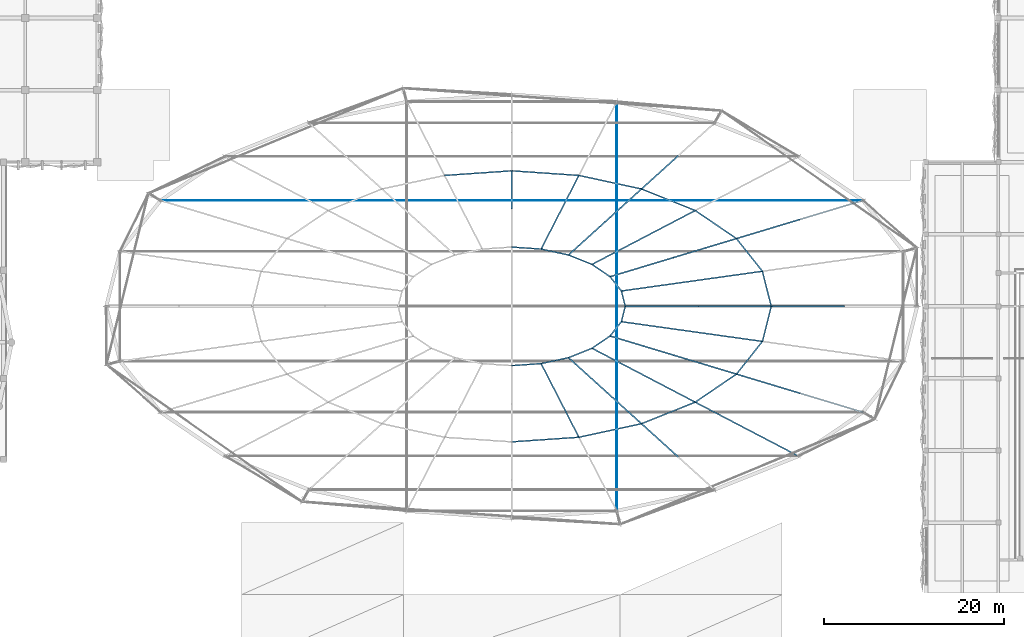
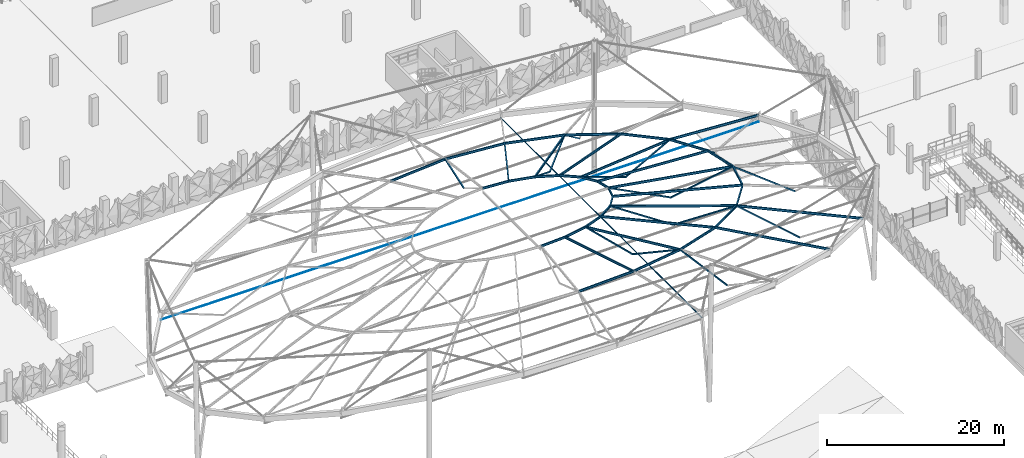
# One storey, part 13 of 96: 39 beams, 18 members.
"""IFC4 building model written with IfcOpenShell, lengths in metres."""

from ifc_helpers import new_model, si_unit, derived_unit, direction, frame, origin, origin_2d, place, context, subcontext, project, spatial, hollow_rectangle, circle, i_section, extrude, material, material_profile, profile_set, type_object, element, save


model = new_model("IFC4")

# Units and contexts
model_context = context("Model", 3, precision=1e-05, world=origin(), true_north=direction((0.0, 1.0)))
body_context = subcontext(model_context, "Body", "Model", "MODEL_VIEW")
ifc_project = project(units=[si_unit("LENGTHUNIT", "METRE"), si_unit("AREAUNIT", "SQUARE_METRE"), si_unit("VOLUMEUNIT", "CUBIC_METRE"), si_unit("PLANEANGLEUNIT", "RADIAN"), si_unit("MASSUNIT", "GRAM", prefix="KILO"), si_unit("THERMODYNAMICTEMPERATUREUNIT", "KELVIN"), derived_unit("THERMALTRANSMITTANCEUNIT", [(si_unit("POWERUNIT", "WATT"), 1), (si_unit("AREAUNIT", "SQUARE_METRE"), -1), (si_unit("THERMODYNAMICTEMPERATUREUNIT", "KELVIN"), -1)])], contexts=[model_context])

# Site, building, storey
site_placement = place(None, origin())
site = spatial("IfcSite", under=ifc_project, at=site_placement, CompositionType="ELEMENT")
building_placement = place(site_placement, origin())
building = spatial("IfcBuilding", under=site, at=building_placement, Name="Haiyu Intermodal Mobility Hub", CompositionType="ELEMENT")
storey_placement = place(building_placement, frame((0.0, 0.0, 9.5)))
storey = spatial("IfcBuildingStorey", under=building, at=storey_placement, Name="L02", CompositionType="ELEMENT", Elevation=9.5)

# Beams
ifc_material_1 = material(Name="Steel Q355C", Category="steel")
ifc_material_profile_1 = material_profile(ifc_material_1, i_section(OverallWidth=0.14990234375, OverallDepth=0.300048828125, WebThickness=0.006591796875, FlangeThickness=0.009033203125, FilletRadius=0.012939453125, at=origin_2d()), Name="HN300x150x6.5x9")
ifc_profile_set_1 = profile_set([ifc_material_profile_1], Name="Steel Q355C")
beam_type = type_object("IfcBeamType", Name="BM-SB10-INT", PredefinedType="JOIST", material=ifc_profile_set_1)
beam_1_placement = place(storey_placement, frame((120.60009765625, 64.0, 14.64599609375), z_axis=(-0.244375132052, 0.969577102424, 0.014178761928), x_axis=(-0.969674577698, -0.244399700013, 0.0)))
element("IfcBeam", 1, at=beam_1_placement, inside=storey, type_object=beam_type, Name="BM-SADHP-001", PredefinedType="JOIST", context=body_context, shape_type="SweptSolid", body=[
    extrude(i_section(OverallWidth=0.14990234375, OverallDepth=0.300048828125, WebThickness=0.006591796875, FlangeThickness=0.009033203125, FilletRadius=0.012939453125, at=origin_2d()), origin(), (0.0, 0.0, 1.0), 1.75634765625),
])
beam_2_placement = place(storey_placement, frame((120.1708984375, 65.702880859375, 14.6708984375), z_axis=(-0.621036146445, 0.783040339029, 0.03408712751), x_axis=(-0.783495655769, -0.621397262136, 0.0)))
element("IfcBeam", 2, at=beam_2_placement, inside=storey, type_object=beam_type, Name="BM-SADHP-002", PredefinedType="JOIST", context=body_context, shape_type="SweptSolid", body=[
    extrude(i_section(OverallWidth=0.14990234375, OverallDepth=0.300048828125, WebThickness=0.006591796875, FlangeThickness=0.009033203125, FilletRadius=0.012939453125, at=origin_2d()), origin(), (0.0, 0.0, 1.0), 2.02685546875),
])
beam_3_placement = place(storey_placement, frame((118.912109375, 67.2900390625, 14.739990234375), z_axis=(-0.826008444816, 0.562322295745, 0.038777374863), x_axis=(-0.562745550881, -0.826630174239, 0.0)))
element("IfcBeam", 3, at=beam_3_placement, inside=storey, type_object=beam_type, Name="BM-SADHP-003", PredefinedType="JOIST", context=body_context, shape_type="SweptSolid", body=[
    extrude(i_section(OverallWidth=0.14990234375, OverallDepth=0.300048828125, WebThickness=0.006591796875, FlangeThickness=0.009033203125, FilletRadius=0.012939453125, at=origin_2d()), origin(), (0.0, 0.0, 1.0), 2.423828125),
])
beam_4_placement = place(storey_placement, frame((116.909912109375, 68.653076171875, 14.833984375), z_axis=(-0.927838396425, 0.371482538513, 0.033416069469), x_axis=(-0.371690117332, -0.928356858475, 0.0)))
element("IfcBeam", 4, at=beam_4_placement, inside=storey, type_object=beam_type, Name="BM-SADHP-004", PredefinedType="JOIST", context=body_context, shape_type="SweptSolid", body=[
    extrude(i_section(OverallWidth=0.14990234375, OverallDepth=0.300048828125, WebThickness=0.006591796875, FlangeThickness=0.009033203125, FilletRadius=0.012939453125, at=origin_2d()), origin(), (0.0, 0.0, 1.0), 2.812744140625),
])
beam_5_placement = place(storey_placement, frame((114.300048828125, 69.697998046875, 14.927978515625), z_axis=(-0.977115528121, 0.211546139804, 0.022214307074), x_axis=(-0.211598355543, -0.977356708644, 0.0)))
element("IfcBeam", 5, at=beam_5_placement, inside=storey, type_object=beam_type, Name="BM-SADHP-005", PredefinedType="JOIST", context=body_context, shape_type="SweptSolid", body=[
    extrude(i_section(OverallWidth=0.14990234375, OverallDepth=0.300048828125, WebThickness=0.006591796875, FlangeThickness=0.009033203125, FilletRadius=0.012939453125, at=origin_2d()), origin(), (0.0, 0.0, 1.0), 3.1103515625),
])
for number, where, z_axis, x_axis, name in (
    (6, (111.260986328125, 70.35595703125, 14.9970703125), (-0.997617613596, 0.068564271115, 0.007618252346), (-0.06856626086, -0.997646564607, 0.0), "BM-SADHP-006"),
    (7, (108.0, 57.419921875, 15.02197265625), (0.997617613596, 0.068564271115, -0.007618252346), (-0.06856626086, 0.997646564607, 0.0), "BM-SADHP-019"),
):
    element("IfcBeam", number, at=place(storey_placement, frame(where, z_axis=z_axis, x_axis=x_axis)), inside=storey, type_object=beam_type, Name=name, PredefinedType="JOIST", context=body_context, shape_type="SweptSolid", body=[
        extrude(i_section(OverallWidth=0.14990234375, OverallDepth=0.300048828125, WebThickness=0.006591796875, FlangeThickness=0.009033203125, FilletRadius=0.012939453125, at=origin_2d()), origin(), (0.0, 0.0, 1.0), 3.268798828125),
    ])
beam_6_placement = place(storey_placement, frame((111.260986328125, 57.64404296875, 14.9970703125), z_axis=(0.977115528121, 0.211546139804, -0.022214307074), x_axis=(-0.211598355543, 0.977356708644, 0.0)))
element("IfcBeam", 8, at=beam_6_placement, inside=storey, type_object=beam_type, Name="BM-SADHP-020", PredefinedType="JOIST", context=body_context, shape_type="SweptSolid", body=[
    extrude(i_section(OverallWidth=0.14990234375, OverallDepth=0.300048828125, WebThickness=0.006591796875, FlangeThickness=0.009033203125, FilletRadius=0.012939453125, at=origin_2d()), origin(), (0.0, 0.0, 1.0), 3.1103515625),
])
beam_7_placement = place(storey_placement, frame((114.300048828125, 58.302001953125, 14.927978515625), z_axis=(0.927838396425, 0.371482538513, -0.033416069469), x_axis=(-0.371690117332, 0.928356858475, 0.0)))
element("IfcBeam", 9, at=beam_7_placement, inside=storey, type_object=beam_type, Name="BM-SADHP-021", PredefinedType="JOIST", context=body_context, shape_type="SweptSolid", body=[
    extrude(i_section(OverallWidth=0.14990234375, OverallDepth=0.300048828125, WebThickness=0.006591796875, FlangeThickness=0.009033203125, FilletRadius=0.012939453125, at=origin_2d()), origin(), (0.0, 0.0, 1.0), 2.812744140625),
])
beam_8_placement = place(storey_placement, frame((116.909912109375, 59.346923828125, 14.833984375), z_axis=(0.826008444816, 0.562322295745, -0.038777374863), x_axis=(-0.562745550881, 0.826630174239, 0.0)))
element("IfcBeam", 10, at=beam_8_placement, inside=storey, type_object=beam_type, Name="BM-SADHP-022", PredefinedType="JOIST", context=body_context, shape_type="SweptSolid", body=[
    extrude(i_section(OverallWidth=0.14990234375, OverallDepth=0.300048828125, WebThickness=0.006591796875, FlangeThickness=0.009033203125, FilletRadius=0.012939453125, at=origin_2d()), origin(), (0.0, 0.0, 1.0), 2.423828125),
])
beam_9_placement = place(storey_placement, frame((118.912109375, 60.7099609375, 14.739990234375), z_axis=(0.621036146445, 0.783040339029, -0.03408712751), x_axis=(-0.783495655769, 0.621397262136, 0.0)))
element("IfcBeam", 11, at=beam_9_placement, inside=storey, type_object=beam_type, Name="BM-SADHP-023", PredefinedType="JOIST", context=body_context, shape_type="SweptSolid", body=[
    extrude(i_section(OverallWidth=0.14990234375, OverallDepth=0.300048828125, WebThickness=0.006591796875, FlangeThickness=0.009033203125, FilletRadius=0.012939453125, at=origin_2d()), origin(), (0.0, 0.0, 1.0), 2.02685546875),
])
beam_10_placement = place(storey_placement, frame((120.1708984375, 62.297119140625, 14.6708984375), z_axis=(0.244375132052, 0.969577102424, -0.014178761928), x_axis=(-0.969674577698, 0.244399700013, 0.0)))
element("IfcBeam", 12, at=beam_10_placement, inside=storey, type_object=beam_type, Name="BM-SADHP-024", PredefinedType="JOIST", context=body_context, shape_type="SweptSolid", body=[
    extrude(i_section(OverallWidth=0.14990234375, OverallDepth=0.300048828125, WebThickness=0.006591796875, FlangeThickness=0.009033203125, FilletRadius=0.012939453125, at=origin_2d()), origin(), (0.0, 0.0, 1.0), 1.75634765625),
])
beam_11_placement = place(storey_placement, frame((136.800048828125, 64.0, 11.947021484375), z_axis=(-0.24420837941, 0.969175415149, 0.032577324879), x_axis=(-0.96969010912, -0.244338069638, 0.0)))
element("IfcBeam", 13, at=beam_11_placement, inside=storey, type_object=beam_type, Name="BM-SADHP-025", PredefinedType="JOIST", context=body_context, shape_type="SweptSolid", body=[
    extrude(i_section(OverallWidth=0.14990234375, OverallDepth=0.300048828125, WebThickness=0.006591796875, FlangeThickness=0.009033203125, FilletRadius=0.012939453125, at=origin_2d()), origin(), (0.0, 0.0, 1.0), 4.016845703125),
])
beam_12_placement = place(storey_placement, frame((135.819091796875, 67.89306640625, 12.077880859375), z_axis=(-0.619609063812, 0.781070195333, 0.07754971312), x_axis=(-0.783429503946, -0.621480661282, 0.0)))
element("IfcBeam", 14, at=beam_12_placement, inside=storey, type_object=beam_type, Name="BM-SADHP-026", PredefinedType="JOIST", context=body_context, shape_type="SweptSolid", body=[
    extrude(i_section(OverallWidth=0.14990234375, OverallDepth=0.300048828125, WebThickness=0.006591796875, FlangeThickness=0.009033203125, FilletRadius=0.012939453125, at=origin_2d()), origin(), (0.0, 0.0, 1.0), 4.6435546875),
])
beam_13_placement = place(storey_placement, frame((132.94189453125, 71.52001953125, 12.43798828125), z_axis=(-0.823455633588, 0.560434759105, 0.088508193401), x_axis=(-0.562642879895, -0.826700060302, 0.0)))
element("IfcBeam", 15, at=beam_13_placement, inside=storey, type_object=beam_type, Name="BM-SADHP-027", PredefinedType="JOIST", context=body_context, shape_type="SweptSolid", body=[
    extrude(i_section(OverallWidth=0.14990234375, OverallDepth=0.300048828125, WebThickness=0.006591796875, FlangeThickness=0.009033203125, FilletRadius=0.012939453125, at=origin_2d()), origin(), (0.0, 0.0, 1.0), 5.55810546875),
])
beam_14_placement = place(storey_placement, frame((128.364990234375, 74.635009765625, 12.929931640625), z_axis=(-0.925572021467, 0.370827344908, 0.07618079381), x_axis=(-0.371908102054, -0.928269553323, 0.0)))
element("IfcBeam", 16, at=beam_14_placement, inside=storey, type_object=beam_type, Name="BM-SADHP-028", PredefinedType="JOIST", context=body_context, shape_type="SweptSolid", body=[
    extrude(i_section(OverallWidth=0.14990234375, OverallDepth=0.300048828125, WebThickness=0.006591796875, FlangeThickness=0.009033203125, FilletRadius=0.012939453125, at=origin_2d()), origin(), (0.0, 0.0, 1.0), 6.44482421875),
])
beam_15_placement = place(storey_placement, frame((122.39990234375, 77.02490234375, 13.4208984375), z_axis=(-0.976121682797, 0.211247142389, 0.050607363168), x_axis=(-0.211518176188, -0.977374064083, 0.0)))
element("IfcBeam", 17, at=beam_15_placement, inside=storey, type_object=beam_type, Name="BM-SADHP-029", PredefinedType="JOIST", context=body_context, shape_type="SweptSolid", body=[
    extrude(i_section(OverallWidth=0.14990234375, OverallDepth=0.300048828125, WebThickness=0.006591796875, FlangeThickness=0.009033203125, FilletRadius=0.012939453125, at=origin_2d()), origin(), (0.0, 0.0, 1.0), 7.11572265625),
])
for number, where, z_axis, x_axis, name in (
    (18, (115.4541015625, 78.528076171875, 13.781005859375), (-0.997493857987, 0.068509911575, 0.017674707755), (-0.06852061517, -0.997649700695, 0.0), "BM-SADHP-030"),
    (19, (108.0, 79.0400390625, 13.9130859375), (-0.997493857987, -0.068509911575, -0.017674707755), (0.06852061517, -0.997649700695, 0.0), "BM-SADHP-031"),
    (20, (108.0, 48.9599609375, 13.9130859375), (0.997493857987, 0.068509911575, -0.017674707755), (-0.06852061517, 0.997649700695, 0.0), "BM-SADHP-043"),
):
    element("IfcBeam", number, at=place(storey_placement, frame(where, z_axis=z_axis, x_axis=x_axis)), inside=storey, type_object=beam_type, Name=name, PredefinedType="JOIST", context=body_context, shape_type="SweptSolid", body=[
        extrude(i_section(OverallWidth=0.14990234375, OverallDepth=0.300048828125, WebThickness=0.006591796875, FlangeThickness=0.009033203125, FilletRadius=0.012939453125, at=origin_2d()), origin(), (0.0, 0.0, 1.0), 7.472900390625),
    ])
beam_16_placement = place(storey_placement, frame((115.4541015625, 49.471923828125, 13.781005859375), z_axis=(0.976121682797, 0.211247142389, -0.050607363168), x_axis=(-0.211518176188, 0.977374064083, 0.0)))
element("IfcBeam", 21, at=beam_16_placement, inside=storey, type_object=beam_type, Name="BM-SADHP-044", PredefinedType="JOIST", context=body_context, shape_type="SweptSolid", body=[
    extrude(i_section(OverallWidth=0.14990234375, OverallDepth=0.300048828125, WebThickness=0.006591796875, FlangeThickness=0.009033203125, FilletRadius=0.012939453125, at=origin_2d()), origin(), (0.0, 0.0, 1.0), 7.11572265625),
])
beam_17_placement = place(storey_placement, frame((122.39990234375, 50.97509765625, 13.4208984375), z_axis=(0.925572021467, 0.370827344908, -0.07618079381), x_axis=(-0.371908102054, 0.928269553323, 0.0)))
element("IfcBeam", 22, at=beam_17_placement, inside=storey, type_object=beam_type, Name="BM-SADHP-045", PredefinedType="JOIST", context=body_context, shape_type="SweptSolid", body=[
    extrude(i_section(OverallWidth=0.14990234375, OverallDepth=0.300048828125, WebThickness=0.006591796875, FlangeThickness=0.009033203125, FilletRadius=0.012939453125, at=origin_2d()), origin(), (0.0, 0.0, 1.0), 6.44482421875),
])
beam_18_placement = place(storey_placement, frame((128.364990234375, 53.364990234375, 12.929931640625), z_axis=(0.823455633588, 0.560434759105, -0.088508193401), x_axis=(-0.562642879895, 0.826700060302, 0.0)))
element("IfcBeam", 23, at=beam_18_placement, inside=storey, type_object=beam_type, Name="BM-SADHP-046", PredefinedType="JOIST", context=body_context, shape_type="SweptSolid", body=[
    extrude(i_section(OverallWidth=0.14990234375, OverallDepth=0.300048828125, WebThickness=0.006591796875, FlangeThickness=0.009033203125, FilletRadius=0.012939453125, at=origin_2d()), origin(), (0.0, 0.0, 1.0), 5.55810546875),
])
beam_19_placement = place(storey_placement, frame((132.94189453125, 56.47998046875, 12.43798828125), z_axis=(0.619609063812, 0.781070195333, -0.07754971312), x_axis=(-0.783429503946, 0.621480661282, 0.0)))
element("IfcBeam", 24, at=beam_19_placement, inside=storey, type_object=beam_type, Name="BM-SADHP-047", PredefinedType="JOIST", context=body_context, shape_type="SweptSolid", body=[
    extrude(i_section(OverallWidth=0.14990234375, OverallDepth=0.300048828125, WebThickness=0.006591796875, FlangeThickness=0.009033203125, FilletRadius=0.012939453125, at=origin_2d()), origin(), (0.0, 0.0, 1.0), 4.6435546875),
])
beam_20_placement = place(storey_placement, frame((135.819091796875, 60.10693359375, 12.077880859375), z_axis=(0.24420837941, 0.969175415149, -0.032577324879), x_axis=(-0.96969010912, 0.244338069638, 0.0)))
element("IfcBeam", 25, at=beam_20_placement, inside=storey, type_object=beam_type, Name="BM-SADHP-048", PredefinedType="JOIST", context=body_context, shape_type="SweptSolid", body=[
    extrude(i_section(OverallWidth=0.14990234375, OverallDepth=0.300048828125, WebThickness=0.006591796875, FlangeThickness=0.009033203125, FilletRadius=0.012939453125, at=origin_2d()), origin(), (0.0, 0.0, 1.0), 4.016845703125),
])
beam_21_placement = place(storey_placement, frame((136.800048828125, 64.0, 11.949951171875), z_axis=(-0.986403966286, 0.0, 0.164338721231), x_axis=(0.0, -1.0, 0.0)))
element("IfcBeam", 26, at=beam_21_placement, inside=storey, type_object=beam_type, Name="BM-SADRAD-050", PredefinedType="JOIST", context=body_context, shape_type="SweptSolid", body=[
    extrude(i_section(OverallWidth=0.14990234375, OverallDepth=0.300048828125, WebThickness=0.006591796875, FlangeThickness=0.009033203125, FilletRadius=0.012939453125, at=origin_2d()), origin(), (0.0, 0.0, 1.0), 16.42333984375),
])
beam_22_placement = place(storey_placement, frame((135.819091796875, 67.89306640625, 12.0810546875), z_axis=(-0.977274428965, -0.13678335131, 0.161941363757), x_axis=(0.13861298977, -0.990346625716, 0.0)))
element("IfcBeam", 27, at=beam_22_placement, inside=storey, type_object=beam_type, Name="BM-SADRAD-052", PredefinedType="JOIST", context=body_context, shape_type="SweptSolid", body=[
    extrude(i_section(OverallWidth=0.14990234375, OverallDepth=0.300048828125, WebThickness=0.006591796875, FlangeThickness=0.009033203125, FilletRadius=0.012939453125, at=origin_2d()), origin(), (0.0, 0.0, 1.0), 16.011962890625),
])
beam_23_placement = place(storey_placement, frame((146.970947265625, 75.75, 8.337890625), z_axis=(-0.921963147491, -0.277986417233, 0.269643294933), x_axis=(0.28867900796, -0.957425939884, 0.0)))
element("IfcBeam", 28, at=beam_23_placement, inside=storey, type_object=beam_type, Name="BM-SADRAD-053", PredefinedType="JOIST", context=body_context, shape_type="SweptSolid", body=[
    extrude(i_section(OverallWidth=0.14990234375, OverallDepth=0.300048828125, WebThickness=0.006591796875, FlangeThickness=0.009033203125, FilletRadius=0.012939453125, at=origin_2d()), origin(), (0.0, 0.0, 1.0), 15.216552734375),
])
beam_24_placement = place(storey_placement, frame((132.94189453125, 71.52001953125, 12.44091796875), z_axis=(-0.945830272905, -0.28516784374, 0.155191480932), x_axis=(0.288665193348, -0.957430105099, 0.0)))
element("IfcBeam", 29, at=beam_24_placement, inside=storey, type_object=beam_type, Name="BM-SADRAD-054", PredefinedType="JOIST", context=body_context, shape_type="SweptSolid", body=[
    extrude(i_section(OverallWidth=0.14990234375, OverallDepth=0.300048828125, WebThickness=0.006591796875, FlangeThickness=0.009033203125, FilletRadius=0.012939453125, at=origin_2d()), origin(), (0.0, 0.0, 1.0), 14.833251953125),
])
beam_25_placement = place(storey_placement, frame((128.364990234375, 74.635009765625, 12.93310546875), z_axis=(-0.87694911144, -0.457949853548, 0.14574699853), x_axis=(0.462892669967, -0.886414336578, 0.0)))
element("IfcBeam", 30, at=beam_25_placement, inside=storey, type_object=beam_type, Name="BM-SADRAD-056", PredefinedType="JOIST", context=body_context, shape_type="SweptSolid", body=[
    extrude(i_section(OverallWidth=0.14990234375, OverallDepth=0.300048828125, WebThickness=0.006591796875, FlangeThickness=0.009033203125, FilletRadius=0.012939453125, at=origin_2d()), origin(), (0.0, 0.0, 1.0), 13.0625),
])
beam_26_placement = place(storey_placement, frame((122.39990234375, 77.02490234375, 13.424072265625), z_axis=(-0.734647098866, -0.664541522262, 0.136668230829), x_axis=(0.670836060312, -0.741605677018, 0.0)))
element("IfcBeam", 31, at=beam_26_placement, inside=storey, type_object=beam_type, Name="BM-SADRAD-058", PredefinedType="JOIST", context=body_context, shape_type="SweptSolid", body=[
    extrude(i_section(OverallWidth=0.14990234375, OverallDepth=0.300048828125, WebThickness=0.006591796875, FlangeThickness=0.009033203125, FilletRadius=0.012939453125, at=origin_2d()), origin(), (0.0, 0.0, 1.0), 11.025390625),
])
for number, where, z_axis, x_axis, name in (
    (32, (115.4541015625, 78.528076171875, 13.783935546875), (-0.452564422655, -0.882019733306, 0.131250270116), (0.889716433781, -0.45651360052, 0.0), "BM-SADRAD-060"),
    (33, (115.4541015625, 49.471923828125, 13.783935546875), (-0.452564422655, 0.882019733306, 0.131250270116), (-0.889716433781, -0.45651360052, 0.0), "BM-SADRAD-088"),
):
    element("IfcBeam", number, at=place(storey_placement, frame(where, z_axis=z_axis, x_axis=x_axis)), inside=storey, type_object=beam_type, Name=name, PredefinedType="JOIST", context=body_context, shape_type="SweptSolid", body=[
        extrude(i_section(OverallWidth=0.14990234375, OverallDepth=0.300048828125, WebThickness=0.006591796875, FlangeThickness=0.009033203125, FilletRadius=0.012939453125, at=origin_2d()), origin(), (0.0, 0.0, 1.0), 9.26513671875),
    ])
beam_27_placement = place(storey_placement, frame((122.39990234375, 50.97509765625, 13.424072265625), z_axis=(-0.734647098866, 0.664541522262, 0.136668230829), x_axis=(-0.670836060312, -0.741605677018, 0.0)))
element("IfcBeam", 34, at=beam_27_placement, inside=storey, type_object=beam_type, Name="BM-SADRAD-090", PredefinedType="JOIST", context=body_context, shape_type="SweptSolid", body=[
    extrude(i_section(OverallWidth=0.14990234375, OverallDepth=0.300048828125, WebThickness=0.006591796875, FlangeThickness=0.009033203125, FilletRadius=0.012939453125, at=origin_2d()), origin(), (0.0, 0.0, 1.0), 11.025390625),
])
beam_28_placement = place(storey_placement, frame((139.820068359375, 47.383056640625, 9.5380859375), z_axis=(-0.857322605249, 0.447700734736, 0.254090540251), x_axis=(-0.462892669967, -0.886414336578, 0.0)))
element("IfcBeam", 35, at=beam_28_placement, inside=storey, type_object=beam_type, Name="BM-SADRAD-091", PredefinedType="JOIST", context=body_context, shape_type="SweptSolid", body=[
    extrude(i_section(OverallWidth=0.14990234375, OverallDepth=0.300048828125, WebThickness=0.006591796875, FlangeThickness=0.009033203125, FilletRadius=0.012939453125, at=origin_2d()), origin(), (0.0, 0.0, 1.0), 13.361572265625),
])
beam_29_placement = place(storey_placement, frame((128.364990234375, 53.364990234375, 12.93310546875), z_axis=(-0.87694911144, 0.457949853548, 0.14574699853), x_axis=(-0.462892669967, -0.886414336578, 0.0)))
element("IfcBeam", 36, at=beam_29_placement, inside=storey, type_object=beam_type, Name="BM-SADRAD-092", PredefinedType="JOIST", context=body_context, shape_type="SweptSolid", body=[
    extrude(i_section(OverallWidth=0.14990234375, OverallDepth=0.300048828125, WebThickness=0.006591796875, FlangeThickness=0.009033203125, FilletRadius=0.012939453125, at=origin_2d()), origin(), (0.0, 0.0, 1.0), 13.0625),
])
beam_30_placement = place(storey_placement, frame((146.970947265625, 52.25, 8.337890625), z_axis=(-0.921963147491, 0.277986417233, 0.269643294933), x_axis=(-0.28867900796, -0.957425939884, 0.0)))
element("IfcBeam", 37, at=beam_30_placement, inside=storey, type_object=beam_type, Name="BM-SADRAD-093", PredefinedType="JOIST", context=body_context, shape_type="SweptSolid", body=[
    extrude(i_section(OverallWidth=0.14990234375, OverallDepth=0.300048828125, WebThickness=0.006591796875, FlangeThickness=0.009033203125, FilletRadius=0.012939453125, at=origin_2d()), origin(), (0.0, 0.0, 1.0), 15.216552734375),
])
beam_31_placement = place(storey_placement, frame((132.94189453125, 56.47998046875, 12.44091796875), z_axis=(-0.945830272905, 0.28516784374, 0.155191480932), x_axis=(-0.288665193348, -0.957430105099, 0.0)))
element("IfcBeam", 38, at=beam_31_placement, inside=storey, type_object=beam_type, Name="BM-SADRAD-094", PredefinedType="JOIST", context=body_context, shape_type="SweptSolid", body=[
    extrude(i_section(OverallWidth=0.14990234375, OverallDepth=0.300048828125, WebThickness=0.006591796875, FlangeThickness=0.009033203125, FilletRadius=0.012939453125, at=origin_2d()), origin(), (0.0, 0.0, 1.0), 14.833251953125),
])
beam_32_placement = place(storey_placement, frame((135.819091796875, 60.10693359375, 12.0810546875), z_axis=(-0.977274428965, 0.13678335131, 0.161941363757), x_axis=(-0.13861298977, -0.990346625716, 0.0)))
element("IfcBeam", 39, at=beam_32_placement, inside=storey, type_object=beam_type, Name="BM-SADRAD-096", PredefinedType="JOIST", context=body_context, shape_type="SweptSolid", body=[
    extrude(i_section(OverallWidth=0.14990234375, OverallDepth=0.300048828125, WebThickness=0.006591796875, FlangeThickness=0.009033203125, FilletRadius=0.012939453125, at=origin_2d()), origin(), (0.0, 0.0, 1.0), 16.011962890625),
])

# Members
ifc_material_profile_2 = material_profile(ifc_material_1, hollow_rectangle(XDim=0.159912109375, YDim=0.159912109375, WallThickness=0.006103515625, at=origin_2d()), Name="SHS160x160x6")
ifc_profile_set_2 = profile_set([ifc_material_profile_2], Name="Steel Q355C")
member_type_1 = type_object("IfcMemberType", Name="MEM-CH03", PredefinedType="CHORD", material=ifc_profile_set_2)
member_1_placement = place(storey_placement, frame((144.89990234375, 64.0, 5.68798828125), z_axis=(-0.791143908572, 0.0, 0.611630048255), x_axis=(0.0, -1.0, 0.0)))
element("IfcMember", 40, at=member_1_placement, inside=storey, type_object=member_type_1, Name="MEM-SADD2-049", PredefinedType="CHORD", context=body_context, shape_type="SweptSolid", body=[
    extrude(hollow_rectangle(XDim=0.159912109375, YDim=0.159912109375, WallThickness=0.006103515625, at=origin_2d()), origin(), (0.0, 0.0, 1.0), 10.238037109375),
])
member_2_placement = place(storey_placement, frame((136.800048828125, 64.0, 11.949951171875), z_axis=(-0.984353775203, 0.0, -0.176203420065), x_axis=(0.0, -1.0, 0.0)))
element("IfcMember", 41, at=member_2_placement, inside=storey, type_object=member_type_1, Name="MEM-SADD1-050", PredefinedType="CHORD", context=body_context, shape_type="SweptSolid", body=[
    extrude(hollow_rectangle(XDim=0.159912109375, YDim=0.159912109375, WallThickness=0.006103515625, at=origin_2d()), origin(), (0.0, 0.0, 1.0), 8.228759765625),
])
member_3_placement = place(storey_placement, frame((128.699951171875, 64.0, 10.5), z_axis=(-0.890033541635, 0.0, 0.455895047971), x_axis=(0.0, -1.0, 0.0)))
element("IfcMember", 42, at=member_3_placement, inside=storey, type_object=member_type_1, Name="MEM-SADD2-050", PredefinedType="CHORD", context=body_context, shape_type="SweptSolid", body=[
    extrude(hollow_rectangle(XDim=0.159912109375, YDim=0.159912109375, WallThickness=0.006103515625, at=origin_2d()), origin(), (0.0, 0.0, 1.0), 9.1005859375),
])
member_4_placement = place(storey_placement, frame((139.9560546875, 73.635009765625, 6.887939453125), z_axis=(-0.763007540814, -0.230070808426, 0.604058702256), x_axis=(0.288692823835, -0.957421774071, 0.0)))
element("IfcMember", 43, at=member_4_placement, inside=storey, type_object=member_type_1, Name="MEM-SADD2-053", PredefinedType="CHORD", context=body_context, shape_type="SweptSolid", body=[
    extrude(hollow_rectangle(XDim=0.159912109375, YDim=0.159912109375, WallThickness=0.006103515625, at=origin_2d()), origin(), (0.0, 0.0, 1.0), 9.19287109375),
])
member_5_placement = place(storey_placement, frame((132.94189453125, 71.52001953125, 12.44091796875), z_axis=(-0.93921536077, -0.283173447616, -0.194132183469), x_axis=(0.288665193348, -0.957430105099, 0.0)))
element("IfcMember", 44, at=member_5_placement, inside=storey, type_object=member_type_1, Name="MEM-SADD1-054", PredefinedType="CHORD", context=body_context, shape_type="SweptSolid", body=[
    extrude(hollow_rectangle(XDim=0.159912109375, YDim=0.159912109375, WallThickness=0.006103515625, at=origin_2d()), origin(), (0.0, 0.0, 1.0), 7.468994140625),
])
member_6_placement = place(storey_placement, frame((125.927001953125, 69.405029296875, 10.990966796875), z_axis=(-0.852191814542, -0.256935846914, 0.455799387668), x_axis=(0.288665193348, -0.957430105099, 0.0)))
element("IfcMember", 45, at=member_6_placement, inside=storey, type_object=member_type_1, Name="MEM-SADD2-054", PredefinedType="CHORD", context=body_context, shape_type="SweptSolid", body=[
    extrude(hollow_rectangle(XDim=0.159912109375, YDim=0.159912109375, WallThickness=0.006103515625, at=origin_2d()), origin(), (0.0, 0.0, 1.0), 8.231689453125),
])
member_7_placement = place(storey_placement, frame((126.449951171875, 80.68798828125, 9.2880859375), z_axis=(-0.591216650187, -0.534728712967, 0.60376160533), x_axis=(0.670788055966, -0.741649097602, 0.0)))
element("IfcMember", 46, at=member_7_placement, inside=storey, type_object=member_type_1, Name="MEM-SADD2-057", PredefinedType="CHORD", context=body_context, shape_type="SweptSolid", body=[
    extrude(hollow_rectangle(XDim=0.159912109375, YDim=0.159912109375, WallThickness=0.006103515625, at=origin_2d()), origin(), (0.0, 0.0, 1.0), 6.850341796875),
])
member_8_placement = place(storey_placement, frame((122.39990234375, 77.02490234375, 13.424072265625), z_axis=(-0.716811180309, -0.648319154701, -0.256639836017), x_axis=(0.670785706266, -0.741651222792, 0.0)))
element("IfcMember", 47, at=member_8_placement, inside=storey, type_object=member_type_1, Name="MEM-SADD1-058", PredefinedType="CHORD", context=body_context, shape_type="SweptSolid", body=[
    extrude(hollow_rectangle(XDim=0.159912109375, YDim=0.159912109375, WallThickness=0.006103515625, at=origin_2d()), origin(), (0.0, 0.0, 1.0), 5.649658203125),
])
member_9_placement = place(storey_placement, frame((118.35009765625, 73.362060546875, 11.97412109375), z_axis=(-0.652124795165, -0.589974617266, 0.476091590466), x_axis=(0.670886402047, -0.741560136165, 0.0)))
element("IfcMember", 48, at=member_9_placement, inside=storey, type_object=member_type_1, Name="MEM-SADD2-058", PredefinedType="CHORD", context=body_context, shape_type="SweptSolid", body=[
    extrude(hollow_rectangle(XDim=0.159912109375, YDim=0.159912109375, WallThickness=0.006103515625, at=origin_2d()), origin(), (0.0, 0.0, 1.0), 6.21044921875),
])
member_10_placement = place(storey_placement, frame((108.0, 79.0400390625, 13.916015625), z_axis=(0.0, -0.945968437013, -0.324258717963), x_axis=(1.0, 0.0, 0.0)))
element("IfcMember", 49, at=member_10_placement, inside=storey, type_object=member_type_1, Name="MEM-SADD1-062", PredefinedType="CHORD", context=body_context, shape_type="SweptSolid", body=[
    extrude(hollow_rectangle(XDim=0.159912109375, YDim=0.159912109375, WallThickness=0.006103515625, at=origin_2d()), origin(), (0.0, 0.0, 1.0), 4.4716796875),
])
member_11_placement = place(storey_placement, frame((126.449951171875, 47.31201171875, 9.2880859375), z_axis=(-0.591216650187, 0.534728712967, 0.60376160533), x_axis=(-0.670788055966, -0.741649097602, 0.0)))
element("IfcMember", 50, at=member_11_placement, inside=storey, type_object=member_type_1, Name="MEM-SADD2-089", PredefinedType="CHORD", context=body_context, shape_type="SweptSolid", body=[
    extrude(hollow_rectangle(XDim=0.159912109375, YDim=0.159912109375, WallThickness=0.006103515625, at=origin_2d()), origin(), (0.0, 0.0, 1.0), 6.850341796875),
])
member_12_placement = place(storey_placement, frame((122.39990234375, 50.97509765625, 13.424072265625), z_axis=(-0.716811180309, 0.648319154701, -0.256639836017), x_axis=(-0.670785706266, -0.741651222792, 0.0)))
element("IfcMember", 51, at=member_12_placement, inside=storey, type_object=member_type_1, Name="MEM-SADD1-090", PredefinedType="CHORD", context=body_context, shape_type="SweptSolid", body=[
    extrude(hollow_rectangle(XDim=0.159912109375, YDim=0.159912109375, WallThickness=0.006103515625, at=origin_2d()), origin(), (0.0, 0.0, 1.0), 5.649658203125),
])
member_13_placement = place(storey_placement, frame((118.35009765625, 54.637939453125, 11.97412109375), z_axis=(-0.652124795165, 0.589974617266, 0.476091590466), x_axis=(-0.670886402047, -0.741560136165, 0.0)))
element("IfcMember", 52, at=member_13_placement, inside=storey, type_object=member_type_1, Name="MEM-SADD2-090", PredefinedType="CHORD", context=body_context, shape_type="SweptSolid", body=[
    extrude(hollow_rectangle(XDim=0.159912109375, YDim=0.159912109375, WallThickness=0.006103515625, at=origin_2d()), origin(), (0.0, 0.0, 1.0), 6.21044921875),
])
member_14_placement = place(storey_placement, frame((139.9560546875, 54.364990234375, 6.887939453125), z_axis=(-0.763007540814, 0.230070808426, 0.604058702256), x_axis=(-0.288692823835, -0.957421774071, 0.0)))
element("IfcMember", 53, at=member_14_placement, inside=storey, type_object=member_type_1, Name="MEM-SADD2-093", PredefinedType="CHORD", context=body_context, shape_type="SweptSolid", body=[
    extrude(hollow_rectangle(XDim=0.159912109375, YDim=0.159912109375, WallThickness=0.006103515625, at=origin_2d()), origin(), (0.0, 0.0, 1.0), 9.19287109375),
])
member_15_placement = place(storey_placement, frame((132.94189453125, 56.47998046875, 12.44091796875), z_axis=(-0.93921536077, 0.283173447616, -0.194132183469), x_axis=(-0.288665193348, -0.957430105099, 0.0)))
element("IfcMember", 54, at=member_15_placement, inside=storey, type_object=member_type_1, Name="MEM-SADD1-094", PredefinedType="CHORD", context=body_context, shape_type="SweptSolid", body=[
    extrude(hollow_rectangle(XDim=0.159912109375, YDim=0.159912109375, WallThickness=0.006103515625, at=origin_2d()), origin(), (0.0, 0.0, 1.0), 7.468994140625),
])
member_16_placement = place(storey_placement, frame((125.927001953125, 58.594970703125, 10.990966796875), z_axis=(-0.852191814542, 0.256935846914, 0.455799387668), x_axis=(-0.288665193348, -0.957430105099, 0.0)))
element("IfcMember", 55, at=member_16_placement, inside=storey, type_object=member_type_1, Name="MEM-SADD2-094", PredefinedType="CHORD", context=body_context, shape_type="SweptSolid", body=[
    extrude(hollow_rectangle(XDim=0.159912109375, YDim=0.159912109375, WallThickness=0.006103515625, at=origin_2d()), origin(), (0.0, 0.0, 1.0), 8.231689453125),
])
ifc_material_2 = material(Name="Galvanized steel cable 1670 MPa", Category="steel")
ifc_material_profile_3 = material_profile(ifc_material_2, circle(Radius=0.047607421875, at=origin_2d()), Name="CABLE95")
ifc_profile_set_3 = profile_set([ifc_material_profile_3], Name="Galvanized steel cable 1670 MPa")
member_type_2 = type_object("IfcMemberType", Name="MEM-TC01", PredefinedType="USERDEFINED", material=ifc_profile_set_3)
member_17_placement = place(storey_placement, frame((119.64697265625, 41.301025390625, 10.89794921875), z_axis=(0.0, 1.0, 0.0), x_axis=(-1.0, 0.0, 0.0)))
element("IfcMember", 56, at=member_17_placement, inside=storey, type_object=member_type_2, Name="Cable-Net Tendon CB-NS-002", ObjectType="TENSION CABLE", PredefinedType="USERDEFINED", context=body_context, shape_type="SweptSolid", body=[
    extrude(circle(Radius=0.047607421875, at=origin_2d()), origin(), (0.0, 0.0, 1.0), 45.39794921875),
])
ifc_material_profile_4 = material_profile(ifc_material_2, circle(Radius=0.0400390625, at=origin_2d()), Name="CABLE80")
ifc_profile_set_4 = profile_set([ifc_material_profile_4], Name="Galvanized steel cable 1670 MPa")
member_type_3 = type_object("IfcMemberType", Name="MEM-TC02", PredefinedType="USERDEFINED", material=ifc_profile_set_4)
member_18_placement = place(storey_placement, frame((69.029052734375, 75.75, 7.419921875), z_axis=(1.0, 0.0, 0.0), x_axis=(0.0, 1.0, 0.0)))
element("IfcMember", 57, at=member_18_placement, inside=storey, type_object=member_type_3, Name="Cable-Net Tendon CB-EW-006", ObjectType="TENSION CABLE", PredefinedType="USERDEFINED", context=body_context, shape_type="SweptSolid", body=[
    extrude(circle(Radius=0.0400390625, at=origin_2d()), origin(), (0.0, 0.0, 1.0), 77.94189453125),
])

save(model, "model.ifc")
